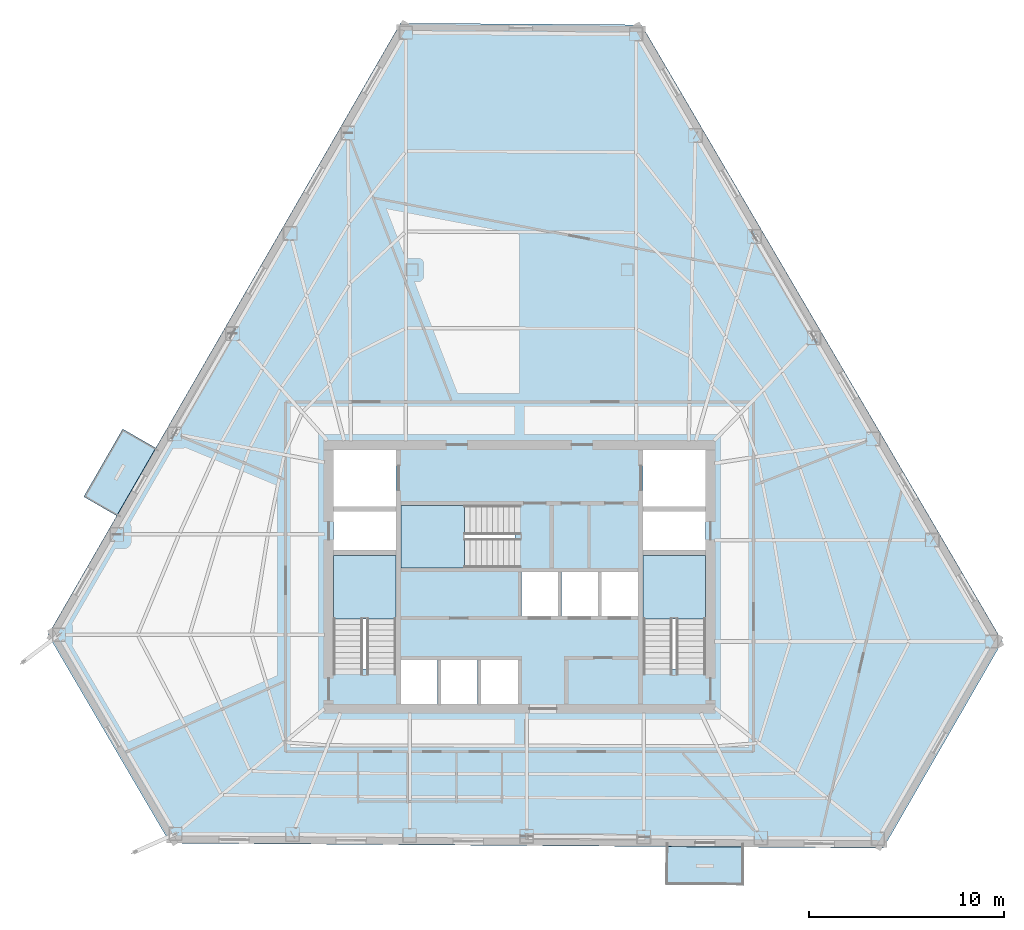
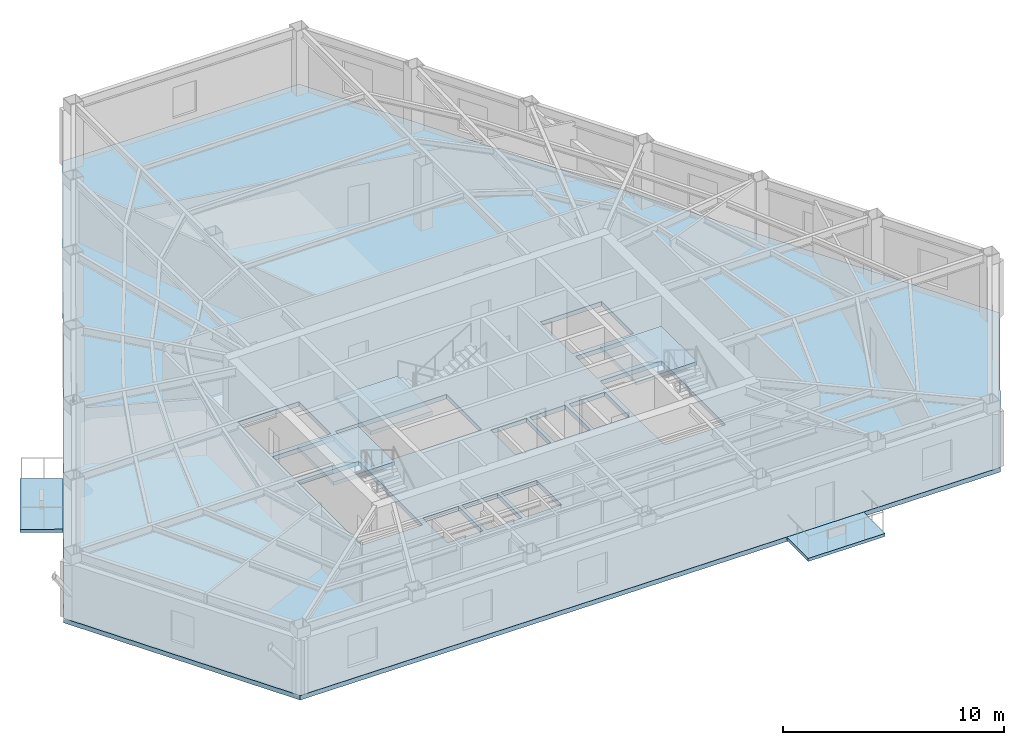
# One storey, part 3 of 12: 6 slabs, 3 elements without a shape of their own.
"""IFC4 building model written with IfcOpenShell, lengths in metres."""

import ifcopenshell
import ifcopenshell.guid

model = None  # the IFC model being written
_history = None  # IfcOwnerHistory: only IFC2X3 demands one
_inside = {}  # id of a spatial element -> (the spatial element, [elements in it])
_under = {}  # id of a project, library or spatial element -> (it, [spatial elements below it])
_declared = {}  # id of a project -> (the project, [libraries it declares])
_typed = {}  # id of a type object -> (the type object, [elements of that type])
_made_of = {}  # id of a material, layer set ... -> (it, [elements and type objects made of it])


def new_model(schema):
    """Start an empty IFC model of exactly this schema.

    Asked for "IFC4X3", IfcOpenShell would pick the latest addendum, in which some entities
    have other attributes; the version numbers below select the first issue.
    IFC2X3 requires an IfcOwnerHistory on every rooted entity: one is made here for all.
    """
    global model, _history
    if schema == "IFC4X3":
        model = ifcopenshell.file(schema_version=(4, 3, 0, 0))
    else:
        model = ifcopenshell.file(schema=schema)
    _inside.clear()
    _under.clear()
    _declared.clear()
    _typed.clear()
    _made_of.clear()
    _history = None
    if model.schema == "IFC2X3":
        org = make("IfcOrganization", Name="unknown")
        user = make(
            "IfcPersonAndOrganization",
            ThePerson=make("IfcPerson", FamilyName="unknown"),
            TheOrganization=org,
        )
        app = make(
            "IfcApplication",
            ApplicationDeveloper=org,
            Version="unknown",
            ApplicationFullName="unknown",
            ApplicationIdentifier="unknown",
        )
        _history = make(
            "IfcOwnerHistory",
            OwningUser=user,
            OwningApplication=app,
            ChangeAction="ADDED",
            CreationDate=0,
        )
    return model


def make(cls, **values):
    """One entity of the class cls with the attributes given. An attribute that is None is left unset."""
    return model.create_entity(
        cls, **{name: value for name, value in values.items() if value is not None}
    )


def rooted(cls, **values):
    """An entity with a GlobalId (a new one), such as an element, a storey or a relation."""
    return make(cls, GlobalId=ifcopenshell.guid.new(), OwnerHistory=_history, **values)


def si_unit(unit_type, name, prefix=None):
    """IfcSIUnit, for example si_unit("LENGTHUNIT", "METRE", prefix="MILLI")."""
    return make("IfcSIUnit", UnitType=unit_type, Prefix=prefix, Name=name)


def assignment(units):
    """IfcUnitAssignment: the units of a project."""
    return None if units is None else make("IfcUnitAssignment", Units=units)


def point(xyz):
    """IfcCartesianPoint."""
    return None if xyz is None else make("IfcCartesianPoint", Coordinates=xyz)


def direction(xyz):
    """IfcDirection."""
    return None if xyz is None else make("IfcDirection", DirectionRatios=xyz)


def frame(location, z_axis=None, x_axis=None):
    """IfcAxis2Placement3D, a coordinate frame: its origin and axes. An axis left out is left unset."""
    return make(
        "IfcAxis2Placement3D",
        Location=point(location),
        Axis=direction(z_axis),
        RefDirection=direction(x_axis),
    )


def origin():
    """The frame at (0, 0, 0) with its axes left unset."""
    return frame((0.0, 0.0, 0.0))


def place(relative_to, where):
    """IfcLocalPlacement: puts the frame where relative to a parent placement (None: the world)."""
    return make(
        "IfcLocalPlacement", PlacementRelTo=relative_to, RelativePlacement=where
    )


def context(
    kind, dimensions, precision=None, world=None, true_north=None, identifier=None
):
    """IfcGeometricRepresentationContext, for example the 3D "Model" context."""
    return make(
        "IfcGeometricRepresentationContext",
        ContextIdentifier=identifier,
        ContextType=kind,
        CoordinateSpaceDimension=dimensions,
        Precision=precision,
        WorldCoordinateSystem=world,
        TrueNorth=true_north,
    )


def subcontext(parent, identifier, kind, view, scale=None):
    """IfcGeometricRepresentationSubContext, for example "Body" below "Model"."""
    return make(
        "IfcGeometricRepresentationSubContext",
        ContextIdentifier=identifier,
        ContextType=kind,
        ParentContext=parent,
        TargetScale=scale,
        TargetView=view,
    )


def project(units=None, contexts=None):
    """IfcProject with its units and contexts."""
    return rooted(
        "IfcProject",
        Name="project",
        RepresentationContexts=contexts,
        UnitsInContext=assignment(units),
    )


def spatial(cls, under=None, at=None, **own):
    """A site, building, storey or space (cls), placed at a placement, below another one or the project."""
    s = rooted(cls, ObjectPlacement=at, **own)
    if under is not None:
        _under.setdefault(under.id(), (under, []))[1].append(s)
    return s


def polyline(points):
    """IfcPolyline through the points."""
    return make("IfcPolyline", Points=[point(p) for p in points])


def outline(outer, holes=None, kind="AREA"):
    """IfcArbitraryClosedProfileDef: a profile drawn as a closed curve; with holes, ...WithVoids."""
    if holes is None:
        return make("IfcArbitraryClosedProfileDef", ProfileType=kind, OuterCurve=outer)
    return make(
        "IfcArbitraryProfileDefWithVoids",
        ProfileType=kind,
        OuterCurve=outer,
        InnerCurves=holes,
    )


def extrude(swept, where, along, depth):
    """IfcExtrudedAreaSolid: the profile swept, set in the frame where, extruded along a direction by depth."""
    return make(
        "IfcExtrudedAreaSolid",
        SweptArea=swept,
        Position=where,
        ExtrudedDirection=direction(along),
        Depth=depth,
    )


def shape(context_of_items, identifier, shape_type, items):
    """IfcShapeRepresentation: the items that make up one representation, for example the "Body"."""
    return make(
        "IfcShapeRepresentation",
        ContextOfItems=context_of_items,
        RepresentationIdentifier=identifier,
        RepresentationType=shape_type,
        Items=items,
    )


def material(Name=None, Category=None):
    """IfcMaterial."""
    return make("IfcMaterial", Name=Name, Category=Category)


def layer(
    of_material, thickness, ventilated=None, Name=None, Category=None, Priority=None
):
    """IfcMaterialLayer: one layer of a wall or slab, of a material (None: an air gap)."""
    return make(
        "IfcMaterialLayer",
        Material=of_material,
        LayerThickness=thickness,
        IsVentilated=ventilated,
        Name=Name,
        Category=Category,
        Priority=Priority,
    )


def layer_set(layers, Name=None):
    """IfcMaterialLayerSet."""
    return make("IfcMaterialLayerSet", MaterialLayers=layers, LayerSetName=Name)


def made_of(thing, what):
    """Note that an element or type object is made of a material, layer set ...; save() writes the relation."""
    if what is not None:
        _made_of.setdefault(what.id(), (what, []))[1].append(thing)
    return thing


def type_object(cls, material=None, **own):
    """A type object (cls), such as IfcWallType, which elements share."""
    return made_of(rooted(cls, **own), material)


def element(
    cls,
    number,
    at=None,
    inside=None,
    cuts=None,
    type_object=None,
    material=None,
    context=None,
    identifier="Body",
    shape_type=None,
    held_by="IfcProductDefinitionShape",
    body=None,
    shapes=None,
    **own,
):
    """One element of the class cls, such as IfcWall. Its Tag is "e" and its number.

    at: its placement. inside: the storey or other place that contains it. cuts: it is an
    opening in that element (IfcRelVoidsElement). A single representation is given by context,
    identifier, shape_type and body (its items); several are given by shapes. held_by: the class
    of the entity that holds the representations. save() writes the other relations.
    """
    e = rooted(cls, Tag="e%d" % number, ObjectPlacement=at, **own)
    if body is not None:
        shapes = [shape(context, identifier, shape_type, body)]
    if shapes is not None:
        e.Representation = make(held_by, Representations=shapes)
    if inside is not None:
        _inside.setdefault(inside.id(), (inside, []))[1].append(e)
    if cuts is not None:
        rooted(
            "IfcRelVoidsElement", RelatingBuildingElement=cuts, RelatedOpeningElement=e
        )
    if type_object is not None:
        _typed.setdefault(type_object.id(), (type_object, []))[1].append(e)
    return made_of(e, material)


def aggregate(whole, parts):
    """IfcRelAggregates: a whole, such as a stair, and the parts it consists of."""
    return rooted("IfcRelAggregates", RelatingObject=whole, RelatedObjects=parts)


def save(model, path):
    """Write the relations noted so far, then the file.

    IfcRelAggregates (storeys below a building ...), IfcRelContainedInSpatialStructure (elements
    in a storey), IfcRelDefinesByType, IfcRelAssociatesMaterial and IfcRelDeclares: one each for
    every whole, place, type object, material and project.
    """
    for whole, parts in _under.values():
        aggregate(whole, parts)
    for where, things in _inside.values():
        rooted(
            "IfcRelContainedInSpatialStructure",
            RelatedElements=things,
            RelatingStructure=where,
        )
    for kind, things in _typed.values():
        rooted("IfcRelDefinesByType", RelatedObjects=things, RelatingType=kind)
    for what, things in _made_of.values():
        rooted("IfcRelAssociatesMaterial", RelatedObjects=things, RelatingMaterial=what)
    for by, libraries in _declared.values():
        rooted("IfcRelDeclares", RelatingContext=by, RelatedDefinitions=libraries)
    model.write(path)


model = new_model("IFC4")

# Units and contexts
model_context = context("Model", 3, precision=1e-05, world=origin(), true_north=direction((0.0, 1.0)))
body_context = subcontext(model_context, "Body", "Model", "MODEL_VIEW")
ifc_project = project(units=[si_unit("LENGTHUNIT", "METRE"), si_unit("AREAUNIT", "SQUARE_METRE"), si_unit("VOLUMEUNIT", "CUBIC_METRE"), si_unit("PLANEANGLEUNIT", "RADIAN"), si_unit("MASSUNIT", "GRAM", prefix="KILO")], contexts=[model_context])

# Site, building, storey
site_placement = place(None, origin())
site = spatial("IfcSite", under=ifc_project, at=site_placement, CompositionType="ELEMENT")
building_placement = place(site_placement, origin())
building = spatial("IfcBuilding", under=site, at=building_placement, Name="Kavelnor Concourse Tower", CompositionType="ELEMENT")
storey_placement = place(building_placement, frame((0.0, 0.0, 120.14990234375)))
storey = spatial("IfcBuildingStorey", under=building, at=storey_placement, Name="L30", CompositionType="ELEMENT", Elevation=120.14990234375)

# Slabs
ifc_material = material(Name="Concrete C40/50", Category="concrete")
ifc_layer_1 = layer(ifc_material, 0.169921875, Name="Concrete C40/50")
ifc_layer_set_1 = layer_set([ifc_layer_1], Name="Concrete C40/50")
slab_type_1 = type_object("IfcSlabType", Name="SLB-BALCONY-170", PredefinedType="FLOOR", material=ifc_layer_set_1)
slab_1_placement = place(storey_placement, frame((0.0, 0.0, -0.169921875)))
element("IfcSlab", 1, at=slab_1_placement, inside=storey, type_object=slab_type_1, Name="L30 Cantilevered Tree Balcony Slab 1", PredefinedType="FLOOR", context=body_context, shape_type="SweptSolid", body=[
    extrude(outline(polyline([(15.701416015625, 20.19873046875), (17.697998046875, 23.664794921875), (19.3876953125, 22.69140625), (17.39111328125, 19.225341796875), (15.701416015625, 20.19873046875)])), origin(), (0.0, 0.0, 1.0), 0.169921875),
])
slab_2_placement = place(storey_placement, frame((0.0, 0.0, -0.169921875)))
element("IfcSlab", 2, at=slab_2_placement, inside=storey, type_object=slab_type_1, Name="L30 Cantilevered Tree Balcony Slab 2", PredefinedType="FLOOR", context=body_context, shape_type="SweptSolid", body=[
    extrude(outline(polyline([(49.475341796875, 0.319091796875), (45.475341796875, 0.346923828125), (45.489013671875, 2.296875), (49.48876953125, 2.269287109375), (49.475341796875, 0.319091796875)])), origin(), (0.0, 0.0, 1.0), 0.169921875),
])

# Stair, slab
stair_type = type_object("IfcStairType", Name="STR-CORE-1500", PredefinedType="HALF_TURN_STAIR", material=ifc_material)
stair_1_placement = place(storey_placement, origin())
stair_1 = element("IfcStair", 3, at=stair_1_placement, inside=storey, type_object=stair_type, Name="L30 ST1", PredefinedType="HALF_TURN_STAIR")
ifc_layer_2 = layer(ifc_material, 0.199951171875, Name="Concrete C40/50")
ifc_layer_set_2 = layer_set([ifc_layer_2], Name="Concrete C40/50")
slab_type_2 = type_object("IfcSlabType", Name="SLB-LANDING-200", PredefinedType="LANDING", material=ifc_layer_set_2)
slab_3_placement = place(storey_placement, frame((0.0, 0.0, 1.72509765625)))
slab_3 = element("IfcSlab", 4, at=slab_3_placement, type_object=slab_type_2, Name="ST1 landing 1", PredefinedType="LANDING", context=body_context, shape_type="SweptSolid", body=[
    extrude(outline(polyline([(31.679931640625, 13.949951171875), (31.679931640625, 17.199951171875), (28.47998046875, 17.199951171875), (28.47998046875, 13.949951171875), (31.679931640625, 13.949951171875)])), origin(), (0.0, 0.0, 1.0), 0.199951171875),
])
aggregate(stair_1, [slab_3])

stair_2_placement = place(storey_placement, origin())
stair_2 = element("IfcStair", 5, at=stair_2_placement, inside=storey, type_object=stair_type, Name="L30 ST2", PredefinedType="HALF_TURN_STAIR")
slab_4_placement = place(storey_placement, frame((0.0, 0.0, 1.72509765625)))
slab_4 = element("IfcSlab", 6, at=slab_4_placement, type_object=slab_type_2, Name="ST2 landing 1", PredefinedType="LANDING", context=body_context, shape_type="SweptSolid", body=[
    extrude(outline(polyline([(47.52001953125, 13.949951171875), (47.52001953125, 17.199951171875), (44.320068359375, 17.199951171875), (44.320068359375, 13.949951171875), (47.52001953125, 13.949951171875)])), origin(), (0.0, 0.0, 1.0), 0.199951171875),
])
aggregate(stair_2, [slab_4])

stair_3_placement = place(storey_placement, origin())
stair_3 = element("IfcStair", 7, at=stair_3_placement, inside=storey, type_object=stair_type, Name="L30 ST3", PredefinedType="HALF_TURN_STAIR")
slab_5_placement = place(storey_placement, frame((0.0, 0.0, 1.72509765625)))
slab_5 = element("IfcSlab", 8, at=slab_5_placement, type_object=slab_type_2, Name="ST3 landing 1", PredefinedType="LANDING", context=body_context, shape_type="SweptSolid", body=[
    extrude(outline(polyline([(35.18994140625, 19.760009765625), (31.93994140625, 19.760009765625), (31.93994140625, 16.56005859375), (35.18994140625, 16.56005859375), (35.18994140625, 19.760009765625)])), origin(), (0.0, 0.0, 1.0), 0.199951171875),
])
aggregate(stair_3, [slab_5])

# Slab
ifc_layer_3 = layer(ifc_material, 0.25, Name="Concrete C40/50")
ifc_layer_set_3 = layer_set([ifc_layer_3], Name="Concrete C40/50")
slab_type_3 = type_object("IfcSlabType", Name="SLB-OFFICE-250", PredefinedType="FLOOR", material=ifc_layer_set_3)
slab_6_placement = place(storey_placement, frame((0.0, 0.0, -0.25)))
element("IfcSlab", 9, at=slab_6_placement, inside=storey, type_object=slab_type_3, Name="L30 Composite Structural Floor Slab", PredefinedType="FLOOR", context=body_context, shape_type="SweptSolid", body=[
    extrude(outline(polyline([(44.2412109375, 44.33984375), (31.906982421875, 44.42529296875), (13.88330078125, 13.135986328125), (20.12451171875, 2.472900390625), (56.6103515625, 2.2197265625), (62.703369140625, 12.79736328125), (44.2412109375, 44.33984375)]), holes=[polyline([(28.47998046875, 11.3798828125), (31.679931640625, 11.3798828125), (31.679931640625, 17.199951171875), (28.47998046875, 17.199951171875), (28.47998046875, 11.3798828125)]), polyline([(44.320068359375, 11.3798828125), (47.52001953125, 11.3798828125), (47.52001953125, 17.199951171875), (44.320068359375, 17.199951171875), (44.320068359375, 11.3798828125)]), polyline([(31.93994140625, 16.56005859375), (37.760009765625, 16.56005859375), (37.760009765625, 19.760009765625), (31.93994140625, 19.760009765625), (31.93994140625, 16.56005859375)]), polyline([(28.47998046875, 19.699951171875), (31.679931640625, 19.699951171875), (31.679931640625, 22.60009765625), (28.47998046875, 22.60009765625), (28.47998046875, 19.699951171875)]), polyline([(44.320068359375, 19.699951171875), (47.52001953125, 19.699951171875), (47.52001953125, 22.60009765625), (44.320068359375, 22.60009765625), (44.320068359375, 19.699951171875)]), polyline([(38.090087890625, 14.10009765625), (39.9599609375, 14.10009765625), (39.9599609375, 16.340087890625), (38.090087890625, 16.340087890625), (38.090087890625, 14.10009765625)]), polyline([(40.139892578125, 14.10009765625), (42.010009765625, 14.10009765625), (42.010009765625, 16.340087890625), (40.139892578125, 16.340087890625), (40.139892578125, 14.10009765625)]), polyline([(42.18994140625, 14.10009765625), (44.06005859375, 14.10009765625), (44.06005859375, 16.340087890625), (42.18994140625, 16.340087890625), (42.18994140625, 14.10009765625)]), polyline([(31.93994140625, 9.60009765625), (33.81005859375, 9.60009765625), (33.81005859375, 11.840087890625), (31.93994140625, 11.840087890625), (31.93994140625, 9.60009765625)]), polyline([(33.989990234375, 9.60009765625), (35.860107421875, 9.60009765625), (35.860107421875, 11.840087890625), (33.989990234375, 11.840087890625), (33.989990234375, 9.60009765625)]), polyline([(36.0400390625, 9.60009765625), (37.909912109375, 9.60009765625), (37.909912109375, 11.840087890625), (36.0400390625, 11.840087890625), (36.0400390625, 9.60009765625)]), polyline([(28.47998046875, 17.4599609375), (31.679931640625, 17.4599609375), (31.679931640625, 19.43994140625), (28.47998046875, 19.43994140625), (28.47998046875, 17.4599609375)]), polyline([(44.320068359375, 17.4599609375), (47.52001953125, 17.4599609375), (47.52001953125, 19.43994140625), (44.320068359375, 19.43994140625), (44.320068359375, 17.4599609375)])]), origin(), (0.0, 0.0, 1.0), 0.25),
])

save(model, "model.ifc")
